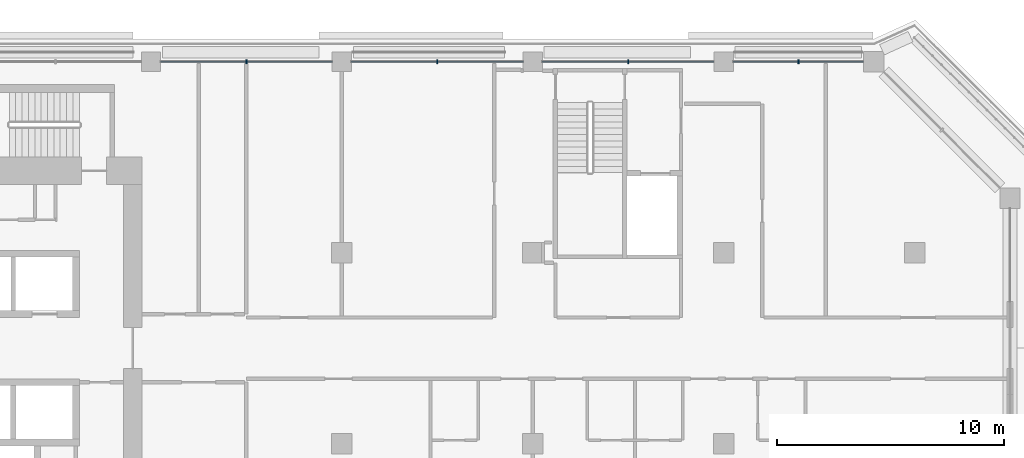
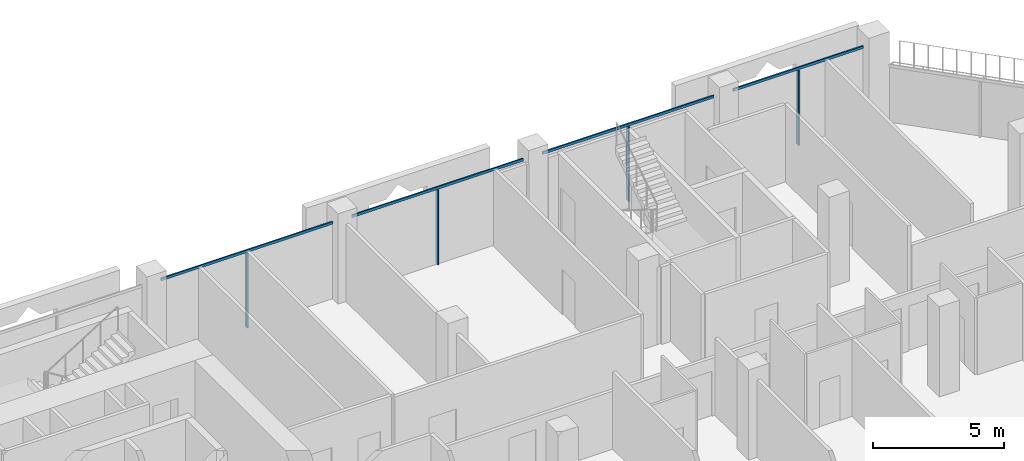
# One storey, part 6 of 22: 8 members, 1 element without a shape of its own.
"""IFC4 building model written with IfcOpenShell, lengths in metres."""

import ifcopenshell
import ifcopenshell.guid

model = None  # the IFC model being written
_history = None  # IfcOwnerHistory: only IFC2X3 demands one
_inside = {}  # id of a spatial element -> (the spatial element, [elements in it])
_under = {}  # id of a project, library or spatial element -> (it, [spatial elements below it])
_declared = {}  # id of a project -> (the project, [libraries it declares])
_typed = {}  # id of a type object -> (the type object, [elements of that type])
_made_of = {}  # id of a material, layer set ... -> (it, [elements and type objects made of it])


def new_model(schema):
    """Start an empty IFC model of exactly this schema.

    Asked for "IFC4X3", IfcOpenShell would pick the latest addendum, in which some entities
    have other attributes; the version numbers below select the first issue.
    IFC2X3 requires an IfcOwnerHistory on every rooted entity: one is made here for all.
    """
    global model, _history
    if schema == "IFC4X3":
        model = ifcopenshell.file(schema_version=(4, 3, 0, 0))
    else:
        model = ifcopenshell.file(schema=schema)
    _inside.clear()
    _under.clear()
    _declared.clear()
    _typed.clear()
    _made_of.clear()
    _history = None
    if model.schema == "IFC2X3":
        org = make("IfcOrganization", Name="unknown")
        user = make(
            "IfcPersonAndOrganization",
            ThePerson=make("IfcPerson", FamilyName="unknown"),
            TheOrganization=org,
        )
        app = make(
            "IfcApplication",
            ApplicationDeveloper=org,
            Version="unknown",
            ApplicationFullName="unknown",
            ApplicationIdentifier="unknown",
        )
        _history = make(
            "IfcOwnerHistory",
            OwningUser=user,
            OwningApplication=app,
            ChangeAction="ADDED",
            CreationDate=0,
        )
    return model


def make(cls, **values):
    """One entity of the class cls with the attributes given. An attribute that is None is left unset."""
    return model.create_entity(
        cls, **{name: value for name, value in values.items() if value is not None}
    )


def rooted(cls, **values):
    """An entity with a GlobalId (a new one), such as an element, a storey or a relation."""
    return make(cls, GlobalId=ifcopenshell.guid.new(), OwnerHistory=_history, **values)


def si_unit(unit_type, name, prefix=None):
    """IfcSIUnit, for example si_unit("LENGTHUNIT", "METRE", prefix="MILLI")."""
    return make("IfcSIUnit", UnitType=unit_type, Prefix=prefix, Name=name)


def assignment(units):
    """IfcUnitAssignment: the units of a project."""
    return None if units is None else make("IfcUnitAssignment", Units=units)


def point(xyz):
    """IfcCartesianPoint."""
    return None if xyz is None else make("IfcCartesianPoint", Coordinates=xyz)


def direction(xyz):
    """IfcDirection."""
    return None if xyz is None else make("IfcDirection", DirectionRatios=xyz)


def frame(location, z_axis=None, x_axis=None):
    """IfcAxis2Placement3D, a coordinate frame: its origin and axes. An axis left out is left unset."""
    return make(
        "IfcAxis2Placement3D",
        Location=point(location),
        Axis=direction(z_axis),
        RefDirection=direction(x_axis),
    )


def frame_2d(location, x_axis=None):
    """IfcAxis2Placement2D, a coordinate frame in the plane: its origin and x axis."""
    return make(
        "IfcAxis2Placement2D", Location=point(location), RefDirection=direction(x_axis)
    )


def origin():
    """The frame at (0, 0, 0) with its axes left unset."""
    return frame((0.0, 0.0, 0.0))


def origin_2d():
    """The frame at (0, 0) in the plane with its x axis left unset."""
    return frame_2d((0.0, 0.0))


def place(relative_to, where):
    """IfcLocalPlacement: puts the frame where relative to a parent placement (None: the world)."""
    return make(
        "IfcLocalPlacement", PlacementRelTo=relative_to, RelativePlacement=where
    )


def context(
    kind, dimensions, precision=None, world=None, true_north=None, identifier=None
):
    """IfcGeometricRepresentationContext, for example the 3D "Model" context."""
    return make(
        "IfcGeometricRepresentationContext",
        ContextIdentifier=identifier,
        ContextType=kind,
        CoordinateSpaceDimension=dimensions,
        Precision=precision,
        WorldCoordinateSystem=world,
        TrueNorth=true_north,
    )


def subcontext(parent, identifier, kind, view, scale=None):
    """IfcGeometricRepresentationSubContext, for example "Body" below "Model"."""
    return make(
        "IfcGeometricRepresentationSubContext",
        ContextIdentifier=identifier,
        ContextType=kind,
        ParentContext=parent,
        TargetScale=scale,
        TargetView=view,
    )


def project(units=None, contexts=None):
    """IfcProject with its units and contexts."""
    return rooted(
        "IfcProject",
        Name="project",
        RepresentationContexts=contexts,
        UnitsInContext=assignment(units),
    )


def spatial(cls, under=None, at=None, **own):
    """A site, building, storey or space (cls), placed at a placement, below another one or the project."""
    s = rooted(cls, ObjectPlacement=at, **own)
    if under is not None:
        _under.setdefault(under.id(), (under, []))[1].append(s)
    return s


def profile(cls, at=None, kind="AREA", **sizes):
    """A parametric profile (cls). Its sizes go by their IFC names, for example OverallWidth=200.0."""
    return make(cls, ProfileType=kind, Position=at, **sizes)


def rectangle(**sizes):
    """IfcRectangleProfileDef."""
    return profile("IfcRectangleProfileDef", **sizes)


def extrude(swept, where, along, depth):
    """IfcExtrudedAreaSolid: the profile swept, set in the frame where, extruded along a direction by depth."""
    return make(
        "IfcExtrudedAreaSolid",
        SweptArea=swept,
        Position=where,
        ExtrudedDirection=direction(along),
        Depth=depth,
    )


def shape(context_of_items, identifier, shape_type, items):
    """IfcShapeRepresentation: the items that make up one representation, for example the "Body"."""
    return make(
        "IfcShapeRepresentation",
        ContextOfItems=context_of_items,
        RepresentationIdentifier=identifier,
        RepresentationType=shape_type,
        Items=items,
    )


def material(Name=None, Category=None):
    """IfcMaterial."""
    return make("IfcMaterial", Name=Name, Category=Category)


def layer(
    of_material, thickness, ventilated=None, Name=None, Category=None, Priority=None
):
    """IfcMaterialLayer: one layer of a wall or slab, of a material (None: an air gap)."""
    return make(
        "IfcMaterialLayer",
        Material=of_material,
        LayerThickness=thickness,
        IsVentilated=ventilated,
        Name=Name,
        Category=Category,
        Priority=Priority,
    )


def layer_set(layers, Name=None):
    """IfcMaterialLayerSet."""
    return make("IfcMaterialLayerSet", MaterialLayers=layers, LayerSetName=Name)


def material_profile(
    of_material, cross_section, Name=None, Category=None, Priority=None
):
    """IfcMaterialProfile: a cross section and its material."""
    return make(
        "IfcMaterialProfile",
        Name=Name,
        Material=of_material,
        Profile=cross_section,
        Priority=Priority,
        Category=Category,
    )


def profile_set(profiles, Name=None, composite=None):
    """IfcMaterialProfileSet."""
    return make(
        "IfcMaterialProfileSet",
        Name=Name,
        MaterialProfiles=profiles,
        CompositeProfile=composite,
    )


def made_of(thing, what):
    """Note that an element or type object is made of a material, layer set ...; save() writes the relation."""
    if what is not None:
        _made_of.setdefault(what.id(), (what, []))[1].append(thing)
    return thing


def type_object(cls, material=None, **own):
    """A type object (cls), such as IfcWallType, which elements share."""
    return made_of(rooted(cls, **own), material)


def element(
    cls,
    number,
    at=None,
    inside=None,
    cuts=None,
    type_object=None,
    material=None,
    context=None,
    identifier="Body",
    shape_type=None,
    held_by="IfcProductDefinitionShape",
    body=None,
    shapes=None,
    **own,
):
    """One element of the class cls, such as IfcWall. Its Tag is "e" and its number.

    at: its placement. inside: the storey or other place that contains it. cuts: it is an
    opening in that element (IfcRelVoidsElement). A single representation is given by context,
    identifier, shape_type and body (its items); several are given by shapes. held_by: the class
    of the entity that holds the representations. save() writes the other relations.
    """
    e = rooted(cls, Tag="e%d" % number, ObjectPlacement=at, **own)
    if body is not None:
        shapes = [shape(context, identifier, shape_type, body)]
    if shapes is not None:
        e.Representation = make(held_by, Representations=shapes)
    if inside is not None:
        _inside.setdefault(inside.id(), (inside, []))[1].append(e)
    if cuts is not None:
        rooted(
            "IfcRelVoidsElement", RelatingBuildingElement=cuts, RelatedOpeningElement=e
        )
    if type_object is not None:
        _typed.setdefault(type_object.id(), (type_object, []))[1].append(e)
    return made_of(e, material)


def aggregate(whole, parts):
    """IfcRelAggregates: a whole, such as a stair, and the parts it consists of."""
    return rooted("IfcRelAggregates", RelatingObject=whole, RelatedObjects=parts)


def save(model, path):
    """Write the relations noted so far, then the file.

    IfcRelAggregates (storeys below a building ...), IfcRelContainedInSpatialStructure (elements
    in a storey), IfcRelDefinesByType, IfcRelAssociatesMaterial and IfcRelDeclares: one each for
    every whole, place, type object, material and project.
    """
    for whole, parts in _under.values():
        aggregate(whole, parts)
    for where, things in _inside.values():
        rooted(
            "IfcRelContainedInSpatialStructure",
            RelatedElements=things,
            RelatingStructure=where,
        )
    for kind, things in _typed.values():
        rooted("IfcRelDefinesByType", RelatedObjects=things, RelatingType=kind)
    for what, things in _made_of.values():
        rooted("IfcRelAssociatesMaterial", RelatedObjects=things, RelatingMaterial=what)
    for by, libraries in _declared.values():
        rooted("IfcRelDeclares", RelatingContext=by, RelatedDefinitions=libraries)
    model.write(path)


model = new_model("IFC4")

# Units and contexts
model_context = context("Model", 3, precision=1e-05, world=origin(), true_north=direction((0.0, 1.0)))
body_context = subcontext(model_context, "Body", "Model", "MODEL_VIEW")
ifc_project = project(units=[si_unit("LENGTHUNIT", "METRE"), si_unit("AREAUNIT", "SQUARE_METRE"), si_unit("VOLUMEUNIT", "CUBIC_METRE"), si_unit("PLANEANGLEUNIT", "RADIAN"), si_unit("MASSUNIT", "GRAM", prefix="KILO")], contexts=[model_context])

# Site, building, storey
site_placement = place(None, origin())
site = spatial("IfcSite", under=ifc_project, at=site_placement, CompositionType="ELEMENT")
building_placement = place(site_placement, origin())
building = spatial("IfcBuilding", under=site, at=building_placement, Name="Kawkab Arch Medical Tower", CompositionType="ELEMENT")
storey_placement = place(building_placement, frame((0.0, 0.0, 255.800048828125)))
storey = spatial("IfcBuildingStorey", under=building, at=storey_placement, Name="L59", CompositionType="ELEMENT", Elevation=255.800048828125)

# Curtain wall, members
ifc_material_1 = material(Name="Bronze anodised aluminium curtain wall frame", Category="aluminium")
ifc_layer = layer(ifc_material_1, 0.159912109375)
ifc_layer_set = layer_set([ifc_layer], Name="Bronze anodised aluminium curtain wall frame")
curtain_wall_type = type_object("IfcCurtainWallType", Name="CW1 ward curtain wall", PredefinedType="NOTDEFINED", material=ifc_layer_set)
curtain_wall_placement = place(storey_placement, origin())
curtain_wall = element("IfcCurtainWall", 1, at=curtain_wall_placement, inside=storey, type_object=curtain_wall_type, Name="CW1 Ward curtain wall R11", PredefinedType="NOTDEFINED")
ifc_material_2 = material(Name="Bronze anodised aluminium curtain wall frame", Category="aluminium")
ifc_material_profile_1 = material_profile(ifc_material_2, rectangle(XDim=0.179931640625, YDim=0.06005859375, at=origin_2d()), Name="AL 60x180")
ifc_profile_set_1 = profile_set([ifc_material_profile_1], Name="Bronze anodised aluminium curtain wall frame")
member_type_1 = type_object("IfcMemberType", Name="CW1 mullion 60 x 180", PredefinedType="MULLION", material=ifc_profile_set_1)
member_1_placement = place(storey_placement, frame((53.6875, 0.0, 0.0), z_axis=(0.0, 0.0, 1.0), x_axis=(0.0, -1.0, 0.0)))
member_1 = element("IfcMember", 2, at=member_1_placement, type_object=member_type_1, Name="CW1 mullion 1.1", PredefinedType="MULLION", context=body_context, shape_type="SweptSolid", body=[
    extrude(rectangle(XDim=0.179931640625, YDim=0.06005859375, at=origin_2d()), origin(), (0.0, 0.0, 1.0), 3.47998046875),
])
member_2_placement = place(storey_placement, frame((46.199951171875, 0.0, 0.0), z_axis=(0.0, 0.0, 1.0), x_axis=(0.0, -1.0, 0.0)))
member_2 = element("IfcMember", 3, at=member_2_placement, type_object=member_type_1, Name="CW1 mullion 2.1", PredefinedType="MULLION", context=body_context, shape_type="SweptSolid", body=[
    extrude(rectangle(XDim=0.179931640625, YDim=0.06005859375, at=origin_2d()), origin(), (0.0, 0.0, 1.0), 3.47998046875),
])
member_3_placement = place(storey_placement, frame((37.800048828125, 0.0, 0.0), z_axis=(0.0, 0.0, 1.0), x_axis=(0.0, -1.0, 0.0)))
member_3 = element("IfcMember", 4, at=member_3_placement, type_object=member_type_1, Name="CW1 mullion 3.1", PredefinedType="MULLION", context=body_context, shape_type="SweptSolid", body=[
    extrude(rectangle(XDim=0.179931640625, YDim=0.06005859375, at=origin_2d()), origin(), (0.0, 0.0, 1.0), 3.47998046875),
])
member_4_placement = place(storey_placement, frame((29.39990234375, 0.0, 0.0), z_axis=(0.0, 0.0, 1.0), x_axis=(0.0, -1.0, 0.0)))
member_4 = element("IfcMember", 5, at=member_4_placement, type_object=member_type_1, Name="CW1 mullion 4.1", PredefinedType="MULLION", context=body_context, shape_type="SweptSolid", body=[
    extrude(rectangle(XDim=0.179931640625, YDim=0.06005859375, at=origin_2d()), origin(), (0.0, 0.0, 1.0), 3.47998046875),
])
ifc_material_3 = material(Name="Bronze anodised aluminium curtain wall frame", Category="aluminium")
ifc_material_profile_2 = material_profile(ifc_material_3, rectangle(XDim=0.06005859375, YDim=0.1201171875, at=origin_2d()), Name="AL 60x120")
ifc_profile_set_2 = profile_set([ifc_material_profile_2], Name="Bronze anodised aluminium curtain wall frame")
member_type_2 = type_object("IfcMemberType", Name="CW1 transom 120 x 60", PredefinedType="USERDEFINED", material=ifc_profile_set_2)
member_5_placement = place(storey_placement, frame((56.550048828125, 0.0, 3.5400390625), z_axis=(-1.0, 0.0, 0.0), x_axis=(0.0, -1.0, 0.0)))
member_5 = element("IfcMember", 6, at=member_5_placement, type_object=member_type_2, Name="CW1 transom 1", ObjectType="TRANSOM", PredefinedType="USERDEFINED", context=body_context, shape_type="SweptSolid", body=[
    extrude(rectangle(XDim=0.06005859375, YDim=0.1201171875, at=origin_2d()), origin(), (0.0, 0.0, 1.0), 5.72509765625),
])
member_6_placement = place(storey_placement, frame((49.97509765625, 0.0, 3.5400390625), z_axis=(-1.0, 0.0, 0.0), x_axis=(0.0, -1.0, 0.0)))
member_6 = element("IfcMember", 7, at=member_6_placement, type_object=member_type_2, Name="CW1 transom 2", ObjectType="TRANSOM", PredefinedType="USERDEFINED", context=body_context, shape_type="SweptSolid", body=[
    extrude(rectangle(XDim=0.06005859375, YDim=0.1201171875, at=origin_2d()), origin(), (0.0, 0.0, 1.0), 7.550048828125),
])
member_7_placement = place(storey_placement, frame((41.574951171875, 0.0, 3.5400390625), z_axis=(-1.0, 0.0, 0.0), x_axis=(0.0, -1.0, 0.0)))
member_7 = element("IfcMember", 8, at=member_7_placement, type_object=member_type_2, Name="CW1 transom 3", ObjectType="TRANSOM", PredefinedType="USERDEFINED", context=body_context, shape_type="SweptSolid", body=[
    extrude(rectangle(XDim=0.06005859375, YDim=0.1201171875, at=origin_2d()), origin(), (0.0, 0.0, 1.0), 7.550048828125),
])
member_8_placement = place(storey_placement, frame((33.175048828125, 0.0, 3.5400390625), z_axis=(-1.0, 0.0, 0.0), x_axis=(0.0, -1.0, 0.0)))
member_8 = element("IfcMember", 9, at=member_8_placement, type_object=member_type_2, Name="CW1 transom 4", ObjectType="TRANSOM", PredefinedType="USERDEFINED", context=body_context, shape_type="SweptSolid", body=[
    extrude(rectangle(XDim=0.06005859375, YDim=0.1201171875, at=origin_2d()), origin(), (0.0, 0.0, 1.0), 7.550048828125),
])
aggregate(curtain_wall, [member_5, member_1, member_6, member_2, member_7, member_3, member_8, member_4])

save(model, "model.ifc")
